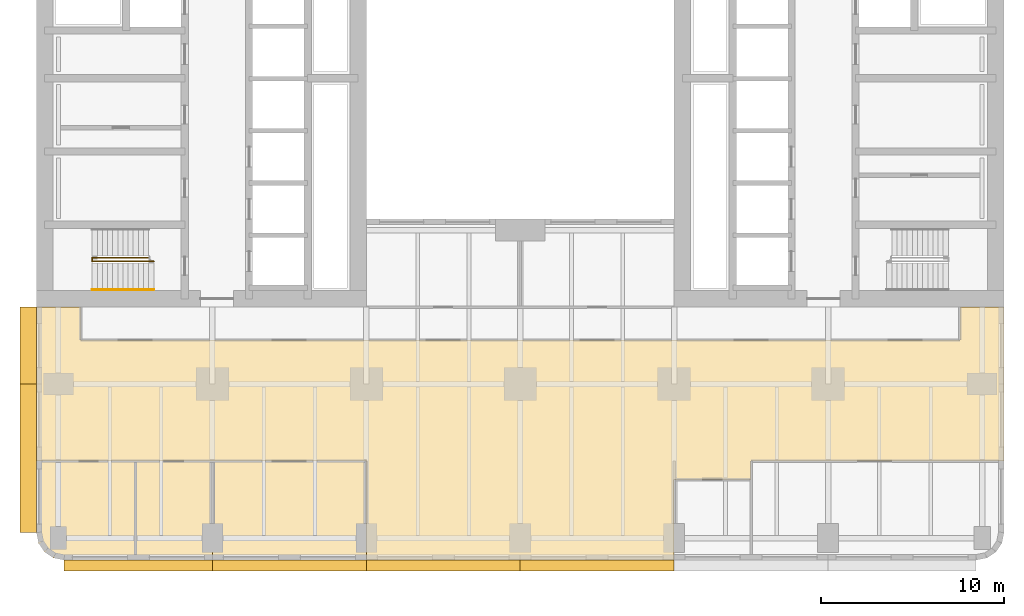
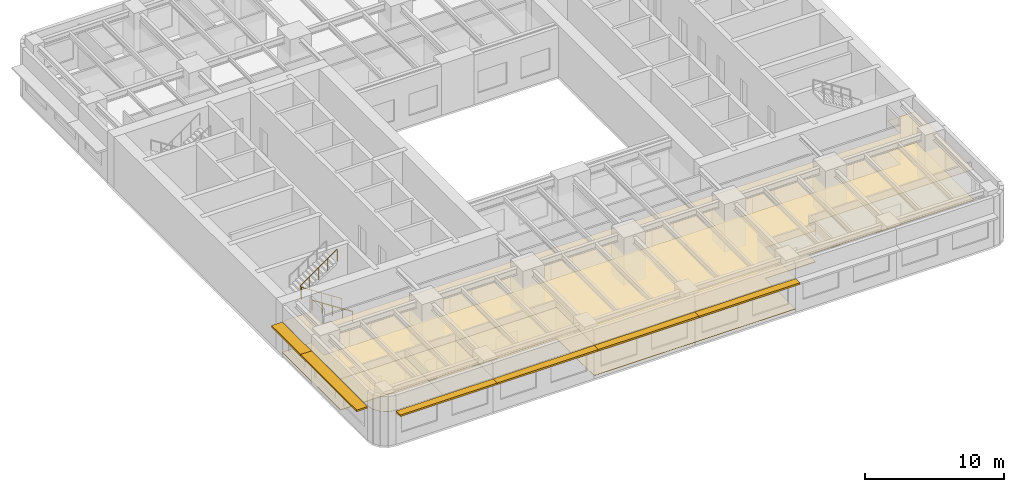
# One storey, part 9 of 14: 6 shading devices, 5 coverings, 2 railings.
"""IFC4 building model written with IfcOpenShell, lengths in metres."""

from ifc_helpers import new_model, si_unit, direction, frame, origin, origin_2d, place, context, subcontext, project, spatial, polyline, rectangle, circle, outline, extrude, material, layer, layer_set, type_object, element, save


model = new_model("IFC4")

# Units and contexts
model_context = context("Model", 3, precision=1e-05, world=origin(), true_north=direction((0.0, 1.0)))
body_context = subcontext(model_context, "Body", "Model", "MODEL_VIEW")
ifc_project = project(units=[si_unit("LENGTHUNIT", "METRE"), si_unit("AREAUNIT", "SQUARE_METRE"), si_unit("VOLUMEUNIT", "CUBIC_METRE"), si_unit("PLANEANGLEUNIT", "RADIAN"), si_unit("MASSUNIT", "GRAM", prefix="KILO")], contexts=[model_context])

# Site, building, storey
site_placement = place(None, origin())
site = spatial("IfcSite", under=ifc_project, at=site_placement, CompositionType="ELEMENT")
building_placement = place(site_placement, origin())
building = spatial("IfcBuilding", under=site, at=building_placement, Name="Claustro Exchange Tower", CompositionType="ELEMENT")
storey_placement = place(building_placement, frame((0.0, 0.0, 23.39990234375)))
storey = spatial("IfcBuildingStorey", under=building, at=storey_placement, Name="L05", CompositionType="ELEMENT", Elevation=23.39990234375)

# Coverings
ifc_material_1 = material(Name="Gypsum board ceiling", Category="gypsum board")
ifc_layer_1 = layer(ifc_material_1, 0.02490234375)
ifc_layer_set_1 = layer_set([ifc_layer_1], Name="Gypsum board ceiling")
covering_type_1 = type_object("IfcCoveringType", Name="CL2 plasterboard ceiling", PredefinedType="CEILING", material=ifc_layer_set_1)
covering_1_placement = place(storey_placement, frame((0.0, 0.0, 3.0)))
element("IfcCovering", 1, at=covering_1_placement, inside=storey, type_object=covering_type_1, Name="Ceiling CL2 L05-02", PredefinedType="CEILING", context=body_context, shape_type="SweptSolid", body=[
    extrude(outline(polyline([(-1.085693359375, -0.27392578125), (-0.7607421875, -0.7607421875), (-0.27392578125, -1.085693359375), (0.300048828125, -1.199951171875), (4.199951171875, -1.199951171875), (4.199951171875, 4.199951171875), (-1.199951171875, 4.199951171875), (-1.199951171875, 0.300048828125), (-1.085693359375, -0.27392578125)])), origin(), (0.0, 0.0, 1.0), 0.025146484375),
])
covering_2_placement = place(storey_placement, frame((0.0, 0.0, 3.0)))
element("IfcCovering", 2, at=covering_2_placement, inside=storey, type_object=covering_type_1, Name="Ceiling CL2 L05-03", PredefinedType="CEILING", context=body_context, shape_type="SweptSolid", body=[
    extrude(outline(polyline([(4.199951171875, -1.199951171875), (8.39990234375, -1.199951171875), (8.39990234375, 4.199951171875), (4.199951171875, 4.199951171875), (4.199951171875, -1.199951171875)])), origin(), (0.0, 0.0, 1.0), 0.025146484375),
])
covering_3_placement = place(storey_placement, frame((0.0, 0.0, 3.0)))
element("IfcCovering", 3, at=covering_3_placement, inside=storey, type_object=covering_type_1, Name="Ceiling CL2 L05-04", PredefinedType="CEILING", context=body_context, shape_type="SweptSolid", body=[
    extrude(outline(polyline([(8.39990234375, -1.199951171875), (16.800048828125, -1.199951171875), (16.800048828125, 4.199951171875), (8.39990234375, 4.199951171875), (8.39990234375, -1.199951171875)])), origin(), (0.0, 0.0, 1.0), 0.025146484375),
])
covering_4_placement = place(storey_placement, frame((0.0, 0.0, 3.0)))
element("IfcCovering", 4, at=covering_4_placement, inside=storey, type_object=covering_type_1, Name="Ceiling CL2 L05-06", PredefinedType="CEILING", context=body_context, shape_type="SweptSolid", body=[
    extrude(outline(polyline([(-1.199951171875, 12.60009765625), (-1.199951171875, 4.199951171875), (4.199951171875, 4.199951171875), (8.39990234375, 4.199951171875), (16.800048828125, 4.199951171875), (16.800048828125, -1.199951171875), (33.60009765625, -1.199951171875), (33.60009765625, 3.199951171875), (37.800048828125, 3.199951171875), (37.800048828125, 4.199951171875), (51.60009765625, 4.199951171875), (51.60009765625, 12.60009765625), (49.199951171875, 12.60009765625), (49.199951171875, 10.800048828125), (1.199951171875, 10.800048828125), (1.199951171875, 12.60009765625), (-1.199951171875, 12.60009765625)])), origin(), (0.0, 0.0, 1.0), 0.025146484375),
])

# Railings
ifc_material_2 = material(Name="Steel balustrade, painted", Category="steel")
railing_type_1 = type_object("IfcRailingType", Name="GR2 1100 steel stair guard", PredefinedType="GUARDRAIL", material=ifc_material_2)
railing_1_placement = place(storey_placement, frame((5.199951171875, 15.10009765625, 0.18017578125)))
element("IfcRailing", 5, at=railing_1_placement, inside=storey, type_object=railing_type_1, Name="Stair well guard GR2 stair STWA L05", PredefinedType="GUARDRAIL", context=body_context, shape_type="SweptSolid", body=[
    extrude(circle(Radius=0.02392578125, at=origin_2d()), frame((0.0, 0.0, 1.076171875), z_axis=(-0.841178475377, 0.0, 0.540757591313), x_axis=(0.0, -1.0, 0.0)), (0.0, 0.0, 1.0), 3.994140625),
    extrude(circle(Radius=0.02392578125, at=origin_2d()), frame((-3.35986328125, 0.0, 3.23583984375), z_axis=(0.0, 1.0, 0.0), x_axis=(-1.0, 0.0, 0.0)), (0.0, 0.0, 1.0), 0.199951171875),
    extrude(circle(Radius=0.02392578125, at=origin_2d()), frame((-3.35986328125, 0.199951171875, 3.23583984375), z_axis=(0.818728512145, 0.0, 0.574180828137), x_axis=(0.0, 1.0, 0.0)), (0.0, 0.0, 1.0), 3.76171875),
    extrude(circle(Radius=0.02099609375, at=origin_2d()), origin(), (0.0, 0.0, 1.0), 1.052001953125),
    extrude(circle(Radius=0.02099609375, at=origin_2d()), frame((-0.83984375, 0.0, 0.5400390625)), (0.0, 0.0, 1.0), 1.052001953125),
    extrude(circle(Radius=0.02099609375, at=origin_2d()), frame((-1.679931640625, 0.0, 1.080078125)), (0.0, 0.0, 1.0), 1.052001953125),
    extrude(circle(Radius=0.02099609375, at=origin_2d()), frame((-2.52001953125, 0.0, 1.619873046875)), (0.0, 0.0, 1.0), 1.052001953125),
    extrude(circle(Radius=0.02099609375, at=origin_2d()), frame((-3.35986328125, 0.0, 2.159912109375)), (0.0, 0.0, 1.0), 1.052001953125),
    extrude(circle(Radius=0.02099609375, at=origin_2d()), frame((-3.35986328125, 0.199951171875, 2.159912109375)), (0.0, 0.0, 1.0), 1.052001953125),
    extrude(circle(Radius=0.02099609375, at=origin_2d()), frame((-2.58984375, 0.199951171875, 2.699951171875)), (0.0, 0.0, 1.0), 1.052001953125),
    extrude(circle(Radius=0.02099609375, at=origin_2d()), frame((-1.81982421875, 0.199951171875, 3.23974609375)), (0.0, 0.0, 1.0), 1.052001953125),
    extrude(circle(Radius=0.02099609375, at=origin_2d()), frame((-1.050048828125, 0.199951171875, 3.77978515625)), (0.0, 0.0, 1.0), 1.052001953125),
    extrude(circle(Radius=0.02099609375, at=origin_2d()), frame((-0.280029296875, 0.199951171875, 4.31982421875)), (0.0, 0.0, 1.0), 1.052001953125),
])
ifc_material_3 = material(Name="Stainless steel tube", Category="steel")
railing_type_2 = type_object("IfcRailingType", Name="HR1 900 stair handrail", PredefinedType="HANDRAIL", material=ifc_material_3)
railing_2_placement = place(storey_placement, frame((5.199951171875, 13.56005859375, 0.18017578125)))
element("IfcRailing", 6, at=railing_2_placement, inside=storey, type_object=railing_type_2, Name="Handrail HR1 stair STWA L05", PredefinedType="HANDRAIL", context=body_context, shape_type="SweptSolid", body=[
    extrude(circle(Radius=0.02392578125, at=origin_2d()), frame((0.0, 0.0, 0.8759765625), z_axis=(-0.841178475377, 0.0, 0.540757591313), x_axis=(0.0, -1.0, 0.0)), (0.0, 0.0, 1.0), 3.994140625),
    extrude(circle(Radius=0.02099609375, at=origin_2d()), origin(), (0.0, 0.0, 1.0), 0.851806640625),
    extrude(circle(Radius=0.02099609375, at=origin_2d()), frame((-0.83984375, 0.0, 0.5400390625)), (0.0, 0.0, 1.0), 0.851806640625),
    extrude(circle(Radius=0.02099609375, at=origin_2d()), frame((-1.679931640625, 0.0, 1.080078125)), (0.0, 0.0, 1.0), 0.851806640625),
    extrude(circle(Radius=0.02099609375, at=origin_2d()), frame((-2.52001953125, 0.0, 1.619873046875)), (0.0, 0.0, 1.0), 0.851806640625),
    extrude(circle(Radius=0.02099609375, at=origin_2d()), frame((-3.35986328125, 0.0, 2.159912109375)), (0.0, 0.0, 1.0), 0.851806640625),
])

# Covering
ifc_material_4 = material(Name="Steel-encased raised floor panels on pedestals", Category="steel")
ifc_layer_2 = layer(ifc_material_4, 0.0400390625)
ifc_layer_set_2 = layer_set([ifc_layer_2], Name="Steel-encased raised floor panels on pedestals")
covering_type_2 = type_object("IfcCoveringType", Name="RF1 300 raised access floor", PredefinedType="FLOORING", material=ifc_layer_set_2)
covering_5_placement = place(storey_placement, frame((0.0, 0.0, 0.260009765625)))
element("IfcCovering", 7, at=covering_5_placement, inside=storey, type_object=covering_type_2, Name="Raised access floor RF1 L05-06", PredefinedType="FLOORING", context=body_context, shape_type="SweptSolid", body=[
    extrude(outline(polyline([(-1.199951171875, 12.60009765625), (-1.199951171875, 4.199951171875), (4.199951171875, 4.199951171875), (8.39990234375, 4.199951171875), (16.800048828125, 4.199951171875), (16.800048828125, -1.199951171875), (33.60009765625, -1.199951171875), (33.60009765625, 3.199951171875), (37.800048828125, 3.199951171875), (37.800048828125, 4.199951171875), (51.60009765625, 4.199951171875), (51.60009765625, 12.60009765625), (49.199951171875, 12.60009765625), (49.199951171875, 10.800048828125), (1.199951171875, 10.800048828125), (1.199951171875, 12.60009765625), (-1.199951171875, 12.60009765625)])), origin(), (0.0, 0.0, 1.0), 0.0400390625),
])

# Shading devices
ifc_material_5 = material(Name="Concrete HA-40 (C40/50), precast, white cement, acid-etched", Category="concrete")
ifc_layer_3 = layer(ifc_material_5, 0.14990234375)
ifc_layer_set_3 = layer_set([ifc_layer_3], Name="Concrete HA-40 (C40/50), precast, white cement, acid-etched")
shading_device_type_1 = type_object("IfcShadingDeviceType", Name="SS1 600 precast concrete SUNSHADE", PredefinedType="SHUTTER", material=ifc_layer_set_3)
for number, where, z_axis, x_axis, name in (
    (8, (29.39990234375, -1.5, 2.800048828125), (0.0, 0.0, 1.0), (-1.0, 0.0, 0.0), "Precast SUNSHADE SS1 L05"),
    (9, (21.0, -1.5, 2.800048828125), (0.0, 0.0, 1.0), (-1.0, 0.0, 0.0), "Precast SUNSHADE SS1 L05"),
    (10, (12.60009765625, -1.5, 2.800048828125), (0.0, 0.0, 1.0), (-1.0, 0.0, 0.0), "Precast SUNSHADE SS1 L05"),
):
    element("IfcShadingDevice", number, at=place(storey_placement, frame(where, z_axis=z_axis, x_axis=x_axis)), inside=storey, type_object=shading_device_type_1, Name=name, PredefinedType="SHUTTER", context=body_context, shape_type="SweptSolid", body=[
        extrude(rectangle(XDim=8.39990234375, YDim=0.60009765625, at=origin_2d()), origin(), (0.0, 0.0, 1.0), 0.14990234375),
    ])
shading_device_1_placement = place(storey_placement, frame((4.357421875, -1.5, 2.800048828125), z_axis=(0.0, 0.0, 1.0), x_axis=(-1.0, 0.0, 0.0)))
element("IfcShadingDevice", 11, at=shading_device_1_placement, inside=storey, type_object=shading_device_type_1, Name="Precast SUNSHADE SS1 L05", PredefinedType="SHUTTER", context=body_context, shape_type="SweptSolid", body=[
    extrude(rectangle(XDim=8.085205078125, YDim=0.60009765625, at=origin_2d()), origin(), (0.0, 0.0, 1.0), 0.14990234375),
])
ifc_material_6 = material(Name="Concrete HA-40 (C40/50), precast, white cement, acid-etched", Category="concrete")
ifc_layer_4 = layer(ifc_material_6, 0.14990234375)
ifc_layer_set_4 = layer_set([ifc_layer_4], Name="Concrete HA-40 (C40/50), precast, white cement, acid-etched")
shading_device_type_2 = type_object("IfcShadingDeviceType", Name="SS2 900 precast concrete SUNSHADE", PredefinedType="SHUTTER", material=ifc_layer_set_4)
shading_device_2_placement = place(storey_placement, frame((-1.64990234375, 4.357421875, 2.800048828125), z_axis=(0.0, 0.0, 1.0), x_axis=(0.0, 1.0, 0.0)))
element("IfcShadingDevice", 12, at=shading_device_2_placement, inside=storey, type_object=shading_device_type_2, Name="Precast SUNSHADE SS2 L05", PredefinedType="SHUTTER", context=body_context, shape_type="SweptSolid", body=[
    extrude(rectangle(XDim=8.085205078125, YDim=0.89990234375, at=origin_2d()), origin(), (0.0, 0.0, 1.0), 0.14990234375),
])
shading_device_3_placement = place(storey_placement, frame((-1.64990234375, 10.5, 2.800048828125), z_axis=(0.0, 0.0, 1.0), x_axis=(0.0, 1.0, 0.0)))
element("IfcShadingDevice", 13, at=shading_device_3_placement, inside=storey, type_object=shading_device_type_2, Name="Precast SUNSHADE SS2 L05", PredefinedType="SHUTTER", context=body_context, shape_type="SweptSolid", body=[
    extrude(rectangle(XDim=4.199951171875, YDim=0.89990234375, at=origin_2d()), origin(), (0.0, 0.0, 1.0), 0.14990234375),
])

save(model, "model.ifc")
